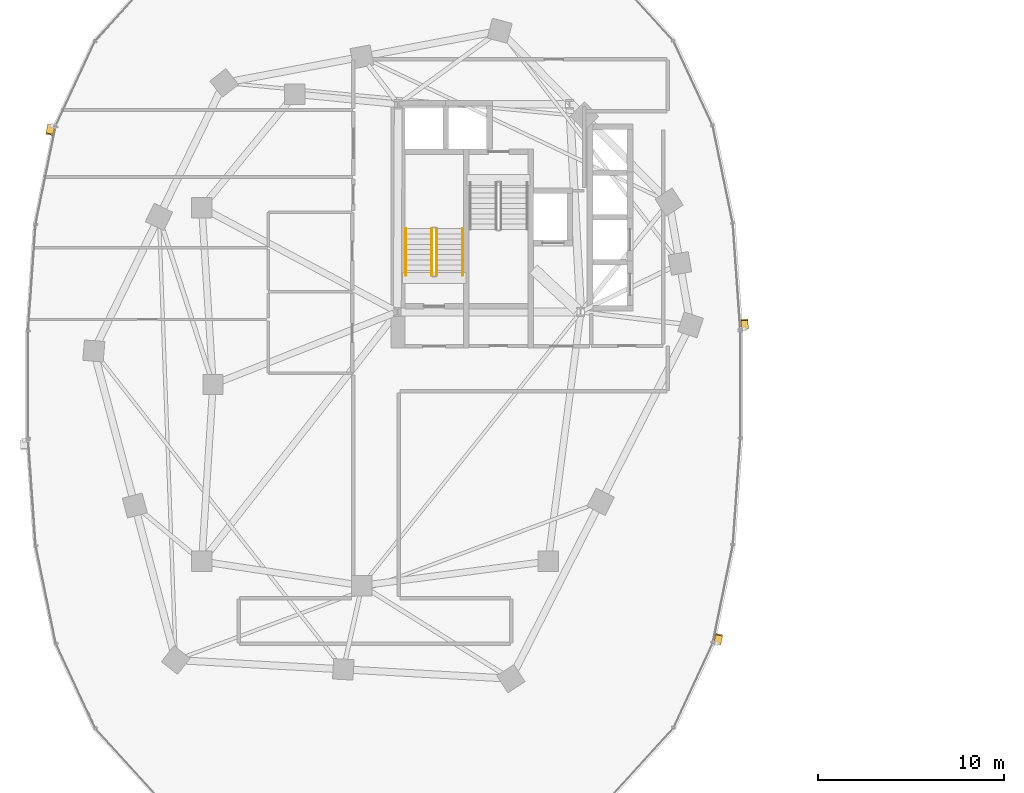
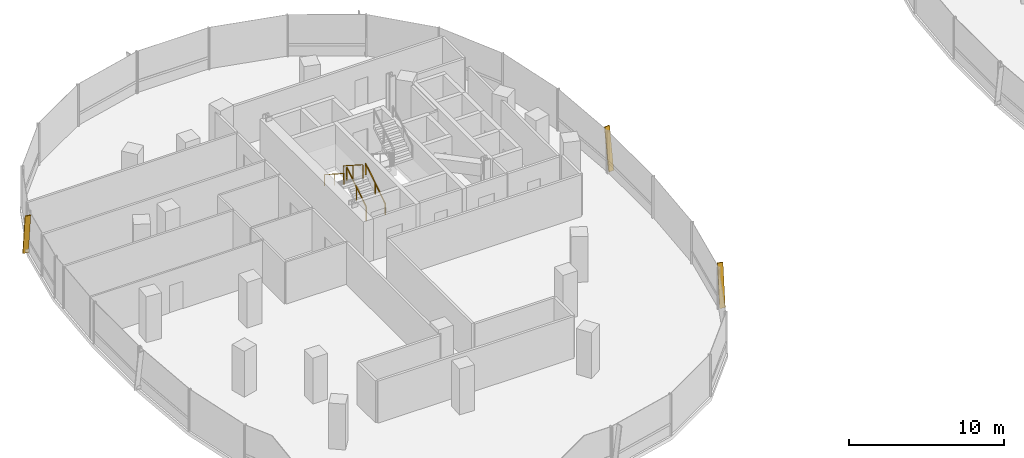
# One storey, part 18 of 21: 4 railings, 3 shading devices.
"""IFC4 building model written with IfcOpenShell, lengths in metres."""

import ifcopenshell
import ifcopenshell.guid

model = None  # the IFC model being written
_history = None  # IfcOwnerHistory: only IFC2X3 demands one
_inside = {}  # id of a spatial element -> (the spatial element, [elements in it])
_under = {}  # id of a project, library or spatial element -> (it, [spatial elements below it])
_declared = {}  # id of a project -> (the project, [libraries it declares])
_typed = {}  # id of a type object -> (the type object, [elements of that type])
_made_of = {}  # id of a material, layer set ... -> (it, [elements and type objects made of it])


def new_model(schema):
    """Start an empty IFC model of exactly this schema.

    Asked for "IFC4X3", IfcOpenShell would pick the latest addendum, in which some entities
    have other attributes; the version numbers below select the first issue.
    IFC2X3 requires an IfcOwnerHistory on every rooted entity: one is made here for all.
    """
    global model, _history
    if schema == "IFC4X3":
        model = ifcopenshell.file(schema_version=(4, 3, 0, 0))
    else:
        model = ifcopenshell.file(schema=schema)
    _inside.clear()
    _under.clear()
    _declared.clear()
    _typed.clear()
    _made_of.clear()
    _history = None
    if model.schema == "IFC2X3":
        org = make("IfcOrganization", Name="unknown")
        user = make(
            "IfcPersonAndOrganization",
            ThePerson=make("IfcPerson", FamilyName="unknown"),
            TheOrganization=org,
        )
        app = make(
            "IfcApplication",
            ApplicationDeveloper=org,
            Version="unknown",
            ApplicationFullName="unknown",
            ApplicationIdentifier="unknown",
        )
        _history = make(
            "IfcOwnerHistory",
            OwningUser=user,
            OwningApplication=app,
            ChangeAction="ADDED",
            CreationDate=0,
        )
    return model


def make(cls, **values):
    """One entity of the class cls with the attributes given. An attribute that is None is left unset."""
    return model.create_entity(
        cls, **{name: value for name, value in values.items() if value is not None}
    )


def rooted(cls, **values):
    """An entity with a GlobalId (a new one), such as an element, a storey or a relation."""
    return make(cls, GlobalId=ifcopenshell.guid.new(), OwnerHistory=_history, **values)


def si_unit(unit_type, name, prefix=None):
    """IfcSIUnit, for example si_unit("LENGTHUNIT", "METRE", prefix="MILLI")."""
    return make("IfcSIUnit", UnitType=unit_type, Prefix=prefix, Name=name)


def assignment(units):
    """IfcUnitAssignment: the units of a project."""
    return None if units is None else make("IfcUnitAssignment", Units=units)


def point(xyz):
    """IfcCartesianPoint."""
    return None if xyz is None else make("IfcCartesianPoint", Coordinates=xyz)


def direction(xyz):
    """IfcDirection."""
    return None if xyz is None else make("IfcDirection", DirectionRatios=xyz)


def frame(location, z_axis=None, x_axis=None):
    """IfcAxis2Placement3D, a coordinate frame: its origin and axes. An axis left out is left unset."""
    return make(
        "IfcAxis2Placement3D",
        Location=point(location),
        Axis=direction(z_axis),
        RefDirection=direction(x_axis),
    )


def frame_2d(location, x_axis=None):
    """IfcAxis2Placement2D, a coordinate frame in the plane: its origin and x axis."""
    return make(
        "IfcAxis2Placement2D", Location=point(location), RefDirection=direction(x_axis)
    )


def origin():
    """The frame at (0, 0, 0) with its axes left unset."""
    return frame((0.0, 0.0, 0.0))


def origin_2d():
    """The frame at (0, 0) in the plane with its x axis left unset."""
    return frame_2d((0.0, 0.0))


def place(relative_to, where):
    """IfcLocalPlacement: puts the frame where relative to a parent placement (None: the world)."""
    return make(
        "IfcLocalPlacement", PlacementRelTo=relative_to, RelativePlacement=where
    )


def context(
    kind, dimensions, precision=None, world=None, true_north=None, identifier=None
):
    """IfcGeometricRepresentationContext, for example the 3D "Model" context."""
    return make(
        "IfcGeometricRepresentationContext",
        ContextIdentifier=identifier,
        ContextType=kind,
        CoordinateSpaceDimension=dimensions,
        Precision=precision,
        WorldCoordinateSystem=world,
        TrueNorth=true_north,
    )


def subcontext(parent, identifier, kind, view, scale=None):
    """IfcGeometricRepresentationSubContext, for example "Body" below "Model"."""
    return make(
        "IfcGeometricRepresentationSubContext",
        ContextIdentifier=identifier,
        ContextType=kind,
        ParentContext=parent,
        TargetScale=scale,
        TargetView=view,
    )


def project(units=None, contexts=None):
    """IfcProject with its units and contexts."""
    return rooted(
        "IfcProject",
        Name="project",
        RepresentationContexts=contexts,
        UnitsInContext=assignment(units),
    )


def spatial(cls, under=None, at=None, **own):
    """A site, building, storey or space (cls), placed at a placement, below another one or the project."""
    s = rooted(cls, ObjectPlacement=at, **own)
    if under is not None:
        _under.setdefault(under.id(), (under, []))[1].append(s)
    return s


def profile(cls, at=None, kind="AREA", **sizes):
    """A parametric profile (cls). Its sizes go by their IFC names, for example OverallWidth=200.0."""
    return make(cls, ProfileType=kind, Position=at, **sizes)


def rectangle(**sizes):
    """IfcRectangleProfileDef."""
    return profile("IfcRectangleProfileDef", **sizes)


def extrude(swept, where, along, depth):
    """IfcExtrudedAreaSolid: the profile swept, set in the frame where, extruded along a direction by depth."""
    return make(
        "IfcExtrudedAreaSolid",
        SweptArea=swept,
        Position=where,
        ExtrudedDirection=direction(along),
        Depth=depth,
    )


def shape(context_of_items, identifier, shape_type, items):
    """IfcShapeRepresentation: the items that make up one representation, for example the "Body"."""
    return make(
        "IfcShapeRepresentation",
        ContextOfItems=context_of_items,
        RepresentationIdentifier=identifier,
        RepresentationType=shape_type,
        Items=items,
    )


def material(Name=None, Category=None):
    """IfcMaterial."""
    return make("IfcMaterial", Name=Name, Category=Category)


def material_profile(
    of_material, cross_section, Name=None, Category=None, Priority=None
):
    """IfcMaterialProfile: a cross section and its material."""
    return make(
        "IfcMaterialProfile",
        Name=Name,
        Material=of_material,
        Profile=cross_section,
        Priority=Priority,
        Category=Category,
    )


def profile_set(profiles, Name=None, composite=None):
    """IfcMaterialProfileSet."""
    return make(
        "IfcMaterialProfileSet",
        Name=Name,
        MaterialProfiles=profiles,
        CompositeProfile=composite,
    )


def made_of(thing, what):
    """Note that an element or type object is made of a material, layer set ...; save() writes the relation."""
    if what is not None:
        _made_of.setdefault(what.id(), (what, []))[1].append(thing)
    return thing


def type_object(cls, material=None, **own):
    """A type object (cls), such as IfcWallType, which elements share."""
    return made_of(rooted(cls, **own), material)


def element(
    cls,
    number,
    at=None,
    inside=None,
    cuts=None,
    type_object=None,
    material=None,
    context=None,
    identifier="Body",
    shape_type=None,
    held_by="IfcProductDefinitionShape",
    body=None,
    shapes=None,
    **own,
):
    """One element of the class cls, such as IfcWall. Its Tag is "e" and its number.

    at: its placement. inside: the storey or other place that contains it. cuts: it is an
    opening in that element (IfcRelVoidsElement). A single representation is given by context,
    identifier, shape_type and body (its items); several are given by shapes. held_by: the class
    of the entity that holds the representations. save() writes the other relations.
    """
    e = rooted(cls, Tag="e%d" % number, ObjectPlacement=at, **own)
    if body is not None:
        shapes = [shape(context, identifier, shape_type, body)]
    if shapes is not None:
        e.Representation = make(held_by, Representations=shapes)
    if inside is not None:
        _inside.setdefault(inside.id(), (inside, []))[1].append(e)
    if cuts is not None:
        rooted(
            "IfcRelVoidsElement", RelatingBuildingElement=cuts, RelatedOpeningElement=e
        )
    if type_object is not None:
        _typed.setdefault(type_object.id(), (type_object, []))[1].append(e)
    return made_of(e, material)


def aggregate(whole, parts):
    """IfcRelAggregates: a whole, such as a stair, and the parts it consists of."""
    return rooted("IfcRelAggregates", RelatingObject=whole, RelatedObjects=parts)


def save(model, path):
    """Write the relations noted so far, then the file.

    IfcRelAggregates (storeys below a building ...), IfcRelContainedInSpatialStructure (elements
    in a storey), IfcRelDefinesByType, IfcRelAssociatesMaterial and IfcRelDeclares: one each for
    every whole, place, type object, material and project.
    """
    for whole, parts in _under.values():
        aggregate(whole, parts)
    for where, things in _inside.values():
        rooted(
            "IfcRelContainedInSpatialStructure",
            RelatedElements=things,
            RelatingStructure=where,
        )
    for kind, things in _typed.values():
        rooted("IfcRelDefinesByType", RelatedObjects=things, RelatingType=kind)
    for what, things in _made_of.values():
        rooted("IfcRelAssociatesMaterial", RelatedObjects=things, RelatingMaterial=what)
    for by, libraries in _declared.values():
        rooted("IfcRelDeclares", RelatingContext=by, RelatedDefinitions=libraries)
    model.write(path)


model = new_model("IFC4")

# Units and contexts
model_context = context("Model", 3, precision=1e-05, world=origin(), true_north=direction((0.0, 1.0)))
body_context = subcontext(model_context, "Body", "Model", "MODEL_VIEW")
ifc_project = project(units=[si_unit("LENGTHUNIT", "METRE"), si_unit("AREAUNIT", "SQUARE_METRE"), si_unit("VOLUMEUNIT", "CUBIC_METRE"), si_unit("PLANEANGLEUNIT", "RADIAN"), si_unit("MASSUNIT", "GRAM", prefix="KILO"), si_unit("THERMODYNAMICTEMPERATUREUNIT", "KELVIN"), si_unit("POWERUNIT", "WATT")], contexts=[model_context])

# Site, building, storey
site_placement = place(None, origin())
site = spatial("IfcSite", under=ifc_project, at=site_placement, CompositionType="ELEMENT")
building_placement = place(site_placement, origin())
building = spatial("IfcBuilding", under=site, at=building_placement, Name="Cundina Bronze Exchange", CompositionType="ELEMENT")
storey_placement = place(building_placement, frame((0.0, 0.0, 89.0)))
storey = spatial("IfcBuildingStorey", under=building, at=storey_placement, Name="L22", CompositionType="ELEMENT", Elevation=89.0)

# Railings
ifc_material_1 = material(Name="Steel ASTM A36 Painted", Category="steel")
railing_type_1 = type_object("IfcRailingType", Name="RLG-HND-900", PredefinedType="HANDRAIL", material=ifc_material_1)
railing_1_placement = place(storey_placement, frame((-27.7900390625, 5.85009765625, 0.179931640625)))
element("IfcRailing", 1, at=railing_1_placement, inside=storey, type_object=railing_type_1, Name="L22 ST-W1 stair handrail 1", PredefinedType="HANDRAIL", context=body_context, shape_type="SweptSolid", body=[
    extrude(rectangle(XDim=0.048095703125, YDim=0.048095703125, at=origin_2d()), frame((0.0, 0.0, 0.8759765625), z_axis=(0.0, 0.841162588446, 0.540782303519), x_axis=(-1.0, 0.0, 0.0)), (0.0, 0.0, 1.0), 2.995849609375),
    extrude(rectangle(XDim=0.0419921875, YDim=0.0419921875, at=origin_2d()), origin(), (0.0, 0.0, 1.0), 0.851806640625),
    extrude(rectangle(XDim=0.0419921875, YDim=0.0419921875, at=origin_2d()), frame((0.0, 1.260009765625, 0.81005859375)), (0.0, 0.0, 1.0), 0.851806640625),
    extrude(rectangle(XDim=0.0419921875, YDim=0.0419921875, at=origin_2d()), frame((0.0, 2.52001953125, 1.6201171875)), (0.0, 0.0, 1.0), 0.851806640625),
])
railing_2_placement = place(storey_placement, frame((-30.85009765625, 8.3701171875, 1.97998046875)))
element("IfcRailing", 2, at=railing_2_placement, inside=storey, type_object=railing_type_1, Name="L22 ST-W1 stair handrail 2", PredefinedType="HANDRAIL", context=body_context, shape_type="SweptSolid", body=[
    extrude(rectangle(XDim=0.048095703125, YDim=0.048095703125, at=origin_2d()), frame((0.0, 0.0, 0.8759765625), z_axis=(0.0, -0.841162588446, 0.540782303519), x_axis=(1.0, 0.0, 0.0)), (0.0, 0.0, 1.0), 2.995849609375),
    extrude(rectangle(XDim=0.0419921875, YDim=0.0419921875, at=origin_2d()), origin(), (0.0, 0.0, 1.0), 0.851806640625),
    extrude(rectangle(XDim=0.0419921875, YDim=0.0419921875, at=origin_2d()), frame((0.0, -1.260009765625, 0.81005859375)), (0.0, 0.0, 1.0), 0.851806640625),
    extrude(rectangle(XDim=0.0419921875, YDim=0.0419921875, at=origin_2d()), frame((0.0, -2.52001953125, 1.6201171875)), (0.0, 0.0, 1.0), 0.851806640625),
])
railing_type_2 = type_object("IfcRailingType", Name="RLG-STG-1100", PredefinedType="GUARDRAIL", material=ifc_material_1)
railing_3_placement = place(storey_placement, frame((-29.18994140625, 5.85009765625, 0.179931640625)))
element("IfcRailing", 3, at=railing_3_placement, inside=storey, type_object=railing_type_2, Name="L22 ST-W1 stair guard 1", PredefinedType="GUARDRAIL", context=body_context, shape_type="SweptSolid", body=[
    extrude(rectangle(XDim=0.048095703125, YDim=0.048095703125, at=origin_2d()), frame((0.0, 0.0, 1.076171875), z_axis=(0.0, 0.841162588446, 0.540782303519), x_axis=(-1.0, 0.0, 0.0)), (0.0, 0.0, 1.0), 2.995849609375),
    extrude(rectangle(XDim=0.0419921875, YDim=0.0419921875, at=origin_2d()), origin(), (0.0, 0.0, 1.0), 1.052001953125),
    extrude(rectangle(XDim=0.0419921875, YDim=0.0419921875, at=origin_2d()), frame((0.0, 1.260009765625, 0.81005859375)), (0.0, 0.0, 1.0), 1.052001953125),
    extrude(rectangle(XDim=0.0419921875, YDim=0.0419921875, at=origin_2d()), frame((0.0, 2.52001953125, 1.6201171875)), (0.0, 0.0, 1.0), 1.052001953125),
])
railing_4_placement = place(storey_placement, frame((-29.449951171875, 8.3701171875, 1.97998046875)))
element("IfcRailing", 4, at=railing_4_placement, inside=storey, type_object=railing_type_2, Name="L22 ST-W1 stair guard 3", PredefinedType="GUARDRAIL", context=body_context, shape_type="SweptSolid", body=[
    extrude(rectangle(XDim=0.048095703125, YDim=0.048095703125, at=origin_2d()), frame((0.0, 0.0, 1.076171875), z_axis=(0.0, -0.841162588446, 0.540782303519), x_axis=(1.0, 0.0, 0.0)), (0.0, 0.0, 1.0), 2.995849609375),
    extrude(rectangle(XDim=0.0419921875, YDim=0.0419921875, at=origin_2d()), origin(), (0.0, 0.0, 1.0), 1.052001953125),
    extrude(rectangle(XDim=0.0419921875, YDim=0.0419921875, at=origin_2d()), frame((0.0, -1.260009765625, 0.81005859375)), (0.0, 0.0, 1.0), 1.052001953125),
    extrude(rectangle(XDim=0.0419921875, YDim=0.0419921875, at=origin_2d()), frame((0.0, -2.52001953125, 1.6201171875)), (0.0, 0.0, 1.0), 1.052001953125),
])

# Shading devices
ifc_material_2 = material(Name="Anodised Bronze Aluminium 6063-T6", Category="aluminium")
ifc_material_profile = material_profile(ifc_material_2, rectangle(XDim=0.070068359375, YDim=0.3798828125, at=origin_2d()), Name="FIN70X380", Category="aluminium")
ifc_profile_set = profile_set([ifc_material_profile], Name="Anodised Bronze Aluminium 6063-T6")
shading_device_type = type_object("IfcShadingDeviceType", Name="SHD-FIN-BRZ380", PredefinedType="USERDEFINED", material=ifc_profile_set)
for number, where, z_axis, x_axis, name in (
    (5, (-12.6259765625, 2.993896484375, 0.02001953125), (-0.010224545828, 0.145292278041, 0.989335945271), (0.069450050635, -0.986895284755, 0.145651595925), "L22 Diagonal Bronze Solar Fin 1"),
    (6, (-49.89599609375, 13.911865234375, 0.02001953125), (-0.029413888538, -0.142698109128, 0.989329102378), (0.199728220342, 0.968958570224, 0.145698068578), "L22 Diagonal Bronze Solar Fin 5"),
    (7, (-14.10400390625, -13.911865234375, 0.02001953125), (0.029413888538, 0.142698109128, 0.989329102378), (-0.199728220342, -0.968958570224, 0.145698068578), "L22 Diagonal Bronze Solar Fin 5"),
):
    element("IfcShadingDevice", number, at=place(storey_placement, frame(where, z_axis=z_axis, x_axis=x_axis)), inside=storey, type_object=shading_device_type, Name=name, ObjectType="FIN", PredefinedType="USERDEFINED", context=body_context, shape_type="SweptSolid", body=[
        extrude(rectangle(XDim=0.070068359375, YDim=0.3798828125, at=origin_2d()), origin(), (0.0, 0.0, 1.0), 3.295166015625),
    ])

save(model, "model.ifc")
